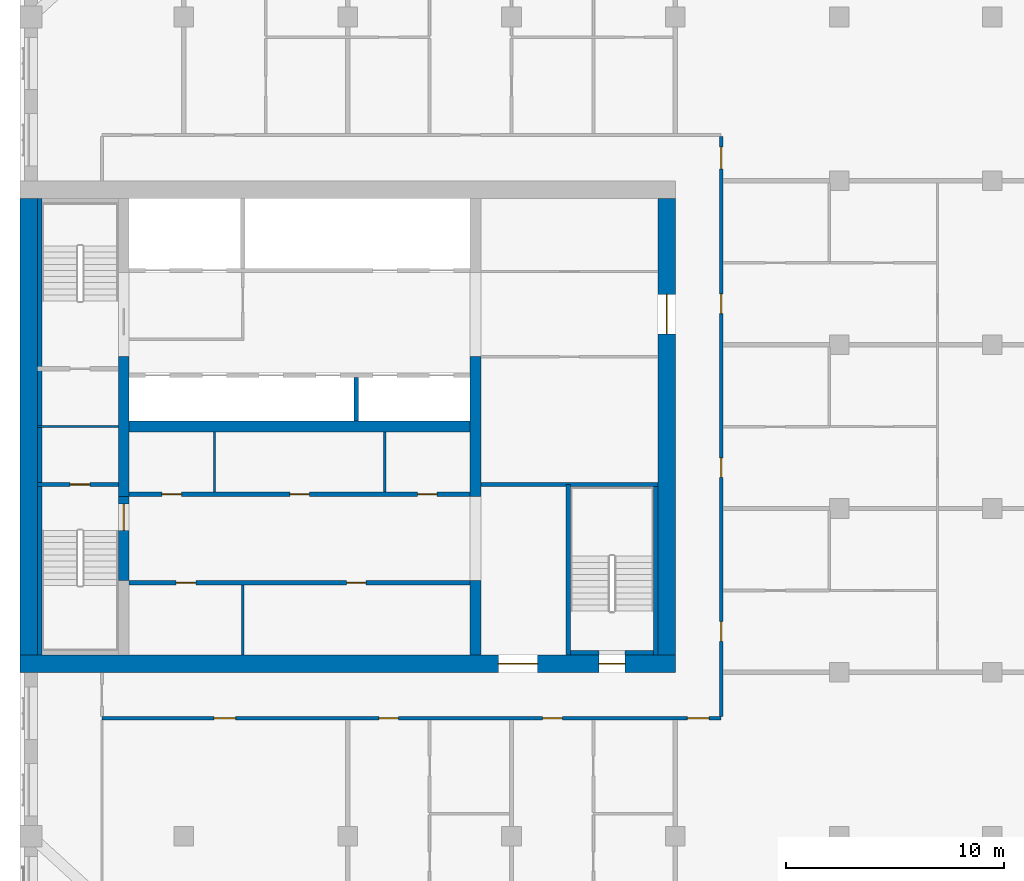
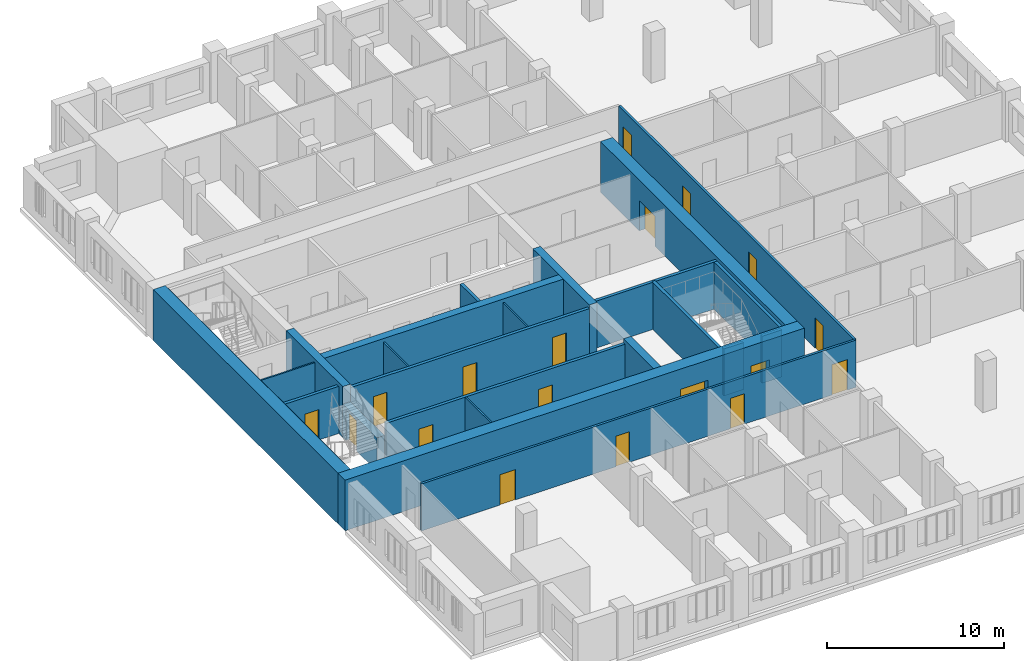
# One storey, part 7 of 14: 24 walls, 18 doors, 18 openings.
"""IFC4 building model written with IfcOpenShell, lengths in metres."""

from ifc_helpers import new_model, si_unit, direction, frame, frame_2d, origin, place, context, subcontext, project, spatial, rectangle, extrude, material, layer, layer_set, type_object, element, fill, save


model = new_model("IFC4")

# Units and contexts
model_context = context("Model", 3, precision=1e-05, world=origin(), true_north=direction((0.0, 1.0)))
body_context = subcontext(model_context, "Body", "Model", "MODEL_VIEW")
ifc_project = project(units=[si_unit("LENGTHUNIT", "METRE"), si_unit("AREAUNIT", "SQUARE_METRE"), si_unit("VOLUMEUNIT", "CUBIC_METRE"), si_unit("PLANEANGLEUNIT", "RADIAN"), si_unit("MASSUNIT", "GRAM", prefix="KILO")], contexts=[model_context])

# Site, building, storey
site_placement = place(None, origin())
site = spatial("IfcSite", under=ifc_project, at=site_placement, CompositionType="ELEMENT")
building_placement = place(site_placement, origin())
building = spatial("IfcBuilding", under=site, at=building_placement, Name="Tamorin Gate", CompositionType="ELEMENT")
storey_placement = place(building_placement, frame((0.0, 0.0, 189.699951171875)))
storey = spatial("IfcBuildingStorey", under=building, at=storey_placement, Name="L46", CompositionType="ELEMENT", Elevation=189.699951171875)

# Wall, openings, doors
ifc_material_1 = material(Name="Gypsum board partition")
ifc_layer_1 = layer(ifc_material_1, 0.14990234375)
ifc_layer_set_1 = layer_set([ifc_layer_1], Name="Corridor wall 150")
wall_type_1 = type_object("IfcWallType", Name="Corridor wall 150", PredefinedType="PARTITIONING", material=ifc_layer_set_1)
wall_1_placement = place(storey_placement, frame((33.75, 57.89990234375, 0.0), z_axis=(0.0, 0.0, 1.0), x_axis=(1.0, 0.0, 0.0)))
wall_1 = element("IfcWall", 1, at=wall_1_placement, inside=storey, type_object=wall_type_1, Name="Corridor wall 150", PredefinedType="PARTITIONING", context=body_context, shape_type="SweptSolid", body=[
    extrude(rectangle(XDim=28.35009765625, YDim=0.14990234375, at=frame_2d((14.175048828125, 0.0))), origin(), (0.0, 0.0, 1.0), 3.25),
])
opening_1_placement = place(wall_1_placement, frame((5.125, 0.0, 0.0)))
opening_1 = element("IfcOpeningElement", 2, at=opening_1_placement, cuts=wall_1, Name="Opening DR4002", PredefinedType="OPENING", context=body_context, shape_type="SweptSolid", body=[
    extrude(rectangle(XDim=1.0, YDim=2.10009765625, at=frame_2d((0.5, 1.050048828125))), frame((0.0, 0.0849609375, 0.0), z_axis=(0.0, -1.0, 0.0), x_axis=(1.0, 0.0, 0.0)), (0.0, 0.0, 1.0), 0.169921875),
])
opening_2_placement = place(wall_1_placement, frame((12.675048828125, 0.0, 0.0)))
opening_2 = element("IfcOpeningElement", 3, at=opening_2_placement, cuts=wall_1, Name="Opening DR4003", PredefinedType="OPENING", context=body_context, shape_type="SweptSolid", body=[
    extrude(rectangle(XDim=0.89990234375, YDim=2.10009765625, at=frame_2d((0.449951171875, 1.050048828125))), frame((0.0, 0.0849609375, 0.0), z_axis=(0.0, -1.0, 0.0), x_axis=(1.0, 0.0, 0.0)), (0.0, 0.0, 1.0), 0.169921875),
])
opening_3_placement = place(wall_1_placement, frame((20.175048828125, 0.0, 0.0)))
opening_3 = element("IfcOpeningElement", 4, at=opening_3_placement, cuts=wall_1, Name="Opening DR4008", PredefinedType="OPENING", context=body_context, shape_type="SweptSolid", body=[
    extrude(rectangle(XDim=0.89990234375, YDim=2.10009765625, at=frame_2d((0.449951171875, 1.050048828125))), frame((0.0, 0.0849609375, 0.0), z_axis=(0.0, -1.0, 0.0), x_axis=(1.0, 0.0, 0.0)), (0.0, 0.0, 1.0), 0.169921875),
])
opening_4_placement = place(wall_1_placement, frame((26.800048828125, 0.0, 0.0)))
opening_4 = element("IfcOpeningElement", 5, at=opening_4_placement, cuts=wall_1, Name="Opening DR4013", PredefinedType="OPENING", context=body_context, shape_type="SweptSolid", body=[
    extrude(rectangle(XDim=1.0, YDim=2.10009765625, at=frame_2d((0.5, 1.050048828125))), frame((0.0, 0.0849609375, 0.0), z_axis=(0.0, -1.0, 0.0), x_axis=(1.0, 0.0, 0.0)), (0.0, 0.0, 1.0), 0.169921875),
])
ifc_material_2 = material(Name="Timber door leaf", Category="wood")
door_type_1 = type_object("IfcDoorType", Name="Door 1000 x 2100 FD30S", OperationType="NOTDEFINED", PredefinedType="DOOR", material=ifc_material_2)
door_1_placement = place(opening_1_placement, origin())
door_1 = element("IfcDoor", 6, at=door_1_placement, inside=storey, type_object=door_type_1, Name="Door DR4002", OperationType="SINGLE_SWING_RIGHT", OverallHeight=2.10009765625, OverallWidth=1.0, PredefinedType="DOOR", context=body_context, shape_type="SweptSolid", body=[
    extrude(rectangle(XDim=1.0, YDim=2.10009765625, at=frame_2d((0.5, 1.050048828125))), frame((0.0, 0.02490234375, 0.0), z_axis=(0.0, -1.0, 0.0), x_axis=(1.0, 0.0, 0.0)), (0.0, 0.0, 1.0), 0.050048828125),
])
fill(opening_1, door_1)
door_2_placement = place(opening_4_placement, origin())
door_2 = element("IfcDoor", 7, at=door_2_placement, inside=storey, type_object=door_type_1, Name="Door DR4013", OperationType="SINGLE_SWING_RIGHT", OverallHeight=2.10009765625, OverallWidth=1.0, PredefinedType="DOOR", context=body_context, shape_type="SweptSolid", body=[
    extrude(rectangle(XDim=1.0, YDim=2.10009765625, at=frame_2d((0.5, 1.050048828125))), frame((0.0, 0.02490234375, 0.0), z_axis=(0.0, -1.0, 0.0), x_axis=(1.0, 0.0, 0.0)), (0.0, 0.0, 1.0), 0.050048828125),
])
fill(opening_4, door_2)
door_type_2 = type_object("IfcDoorType", Name="Door 900 x 2100 FD30S", OperationType="NOTDEFINED", PredefinedType="DOOR", material=ifc_material_2)
door_3_placement = place(opening_2_placement, origin())
door_3 = element("IfcDoor", 8, at=door_3_placement, inside=storey, type_object=door_type_2, Name="Door DR4003", OperationType="SINGLE_SWING_RIGHT", OverallHeight=2.10009765625, OverallWidth=0.89990234375, PredefinedType="DOOR", context=body_context, shape_type="SweptSolid", body=[
    extrude(rectangle(XDim=0.89990234375, YDim=2.10009765625, at=frame_2d((0.449951171875, 1.050048828125))), frame((0.0, 0.02490234375, 0.0), z_axis=(0.0, -1.0, 0.0), x_axis=(1.0, 0.0, 0.0)), (0.0, 0.0, 1.0), 0.050048828125),
])
fill(opening_2, door_3)
door_4_placement = place(opening_3_placement, origin())
door_4 = element("IfcDoor", 9, at=door_4_placement, inside=storey, type_object=door_type_2, Name="Door DR4008", OperationType="SINGLE_SWING_RIGHT", OverallHeight=2.10009765625, OverallWidth=0.89990234375, PredefinedType="DOOR", context=body_context, shape_type="SweptSolid", body=[
    extrude(rectangle(XDim=0.89990234375, YDim=2.10009765625, at=frame_2d((0.449951171875, 1.050048828125))), frame((0.0, 0.02490234375, 0.0), z_axis=(0.0, -1.0, 0.0), x_axis=(1.0, 0.0, 0.0)), (0.0, 0.0, 1.0), 0.050048828125),
])
fill(opening_3, door_4)

wall_2_placement = place(storey_placement, frame((62.10009765625, 57.97509765625, 0.0), z_axis=(0.0, 0.0, 1.0), x_axis=(0.0, 1.0, 0.0)))
wall_2 = element("IfcWall", 10, at=wall_2_placement, inside=storey, type_object=wall_type_1, Name="Corridor wall 150", PredefinedType="PARTITIONING", context=body_context, shape_type="SweptSolid", body=[
    extrude(rectangle(XDim=26.5498046875, YDim=0.14990234375, at=frame_2d((13.27490234375, 0.0))), origin(), (0.0, 0.0, 1.0), 3.25),
])
opening_5_placement = place(wall_2_placement, frame((25.074951171875, 0.0, 0.0)))
opening_5 = element("IfcOpeningElement", 11, at=opening_5_placement, cuts=wall_2, Name="Opening DR4030", PredefinedType="OPENING", context=body_context, shape_type="SweptSolid", body=[
    extrude(rectangle(XDim=1.0, YDim=2.10009765625, at=frame_2d((0.5, 1.050048828125))), frame((0.0, 0.0849609375, 0.0), z_axis=(0.0, -1.0, 0.0), x_axis=(1.0, 0.0, 0.0)), (0.0, 0.0, 1.0), 0.169921875),
])
opening_6_placement = place(wall_2_placement, frame((3.449951171875, 0.0, 0.0)))
opening_6 = element("IfcOpeningElement", 12, at=opening_6_placement, cuts=wall_2, Name="Opening DR4031", PredefinedType="OPENING", context=body_context, shape_type="SweptSolid", body=[
    extrude(rectangle(XDim=0.89990234375, YDim=2.10009765625, at=frame_2d((0.449951171875, 1.050048828125))), frame((0.0, 0.0849609375, 0.0), z_axis=(0.0, -1.0, 0.0), x_axis=(1.0, 0.0, 0.0)), (0.0, 0.0, 1.0), 0.169921875),
])
opening_7_placement = place(wall_2_placement, frame((10.949951171875, 0.0, 0.0)))
opening_7 = element("IfcOpeningElement", 13, at=opening_7_placement, cuts=wall_2, Name="Opening DR4035", PredefinedType="OPENING", context=body_context, shape_type="SweptSolid", body=[
    extrude(rectangle(XDim=0.89990234375, YDim=2.10009765625, at=frame_2d((0.449951171875, 1.050048828125))), frame((0.0, 0.0849609375, 0.0), z_axis=(0.0, -1.0, 0.0), x_axis=(1.0, 0.0, 0.0)), (0.0, 0.0, 1.0), 0.169921875),
])
opening_8_placement = place(wall_2_placement, frame((18.449951171875, 0.0, 0.0)))
opening_8 = element("IfcOpeningElement", 14, at=opening_8_placement, cuts=wall_2, Name="Opening DR4039", PredefinedType="OPENING", context=body_context, shape_type="SweptSolid", body=[
    extrude(rectangle(XDim=0.89990234375, YDim=2.10009765625, at=frame_2d((0.449951171875, 1.050048828125))), frame((0.0, 0.0849609375, 0.0), z_axis=(0.0, -1.0, 0.0), x_axis=(1.0, 0.0, 0.0)), (0.0, 0.0, 1.0), 0.169921875),
])
door_5_placement = place(opening_5_placement, origin())
door_5 = element("IfcDoor", 15, at=door_5_placement, inside=storey, type_object=door_type_1, Name="Door DR4030", OperationType="SINGLE_SWING_RIGHT", OverallHeight=2.10009765625, OverallWidth=1.0, PredefinedType="DOOR", context=body_context, shape_type="SweptSolid", body=[
    extrude(rectangle(XDim=1.0, YDim=2.10009765625, at=frame_2d((0.5, 1.050048828125))), frame((0.0, 0.02490234375, 0.0), z_axis=(0.0, -1.0, 0.0), x_axis=(1.0, 0.0, 0.0)), (0.0, 0.0, 1.0), 0.050048828125),
])
fill(opening_5, door_5)
door_6_placement = place(opening_6_placement, origin())
door_6 = element("IfcDoor", 16, at=door_6_placement, inside=storey, type_object=door_type_2, Name="Door DR4031", OperationType="SINGLE_SWING_RIGHT", OverallHeight=2.10009765625, OverallWidth=0.89990234375, PredefinedType="DOOR", context=body_context, shape_type="SweptSolid", body=[
    extrude(rectangle(XDim=0.89990234375, YDim=2.10009765625, at=frame_2d((0.449951171875, 1.050048828125))), frame((0.0, 0.02490234375, 0.0), z_axis=(0.0, -1.0, 0.0), x_axis=(1.0, 0.0, 0.0)), (0.0, 0.0, 1.0), 0.050048828125),
])
fill(opening_6, door_6)
door_7_placement = place(opening_7_placement, origin())
door_7 = element("IfcDoor", 17, at=door_7_placement, inside=storey, type_object=door_type_2, Name="Door DR4035", OperationType="SINGLE_SWING_RIGHT", OverallHeight=2.10009765625, OverallWidth=0.89990234375, PredefinedType="DOOR", context=body_context, shape_type="SweptSolid", body=[
    extrude(rectangle(XDim=0.89990234375, YDim=2.10009765625, at=frame_2d((0.449951171875, 1.050048828125))), frame((0.0, 0.02490234375, 0.0), z_axis=(0.0, -1.0, 0.0), x_axis=(1.0, 0.0, 0.0)), (0.0, 0.0, 1.0), 0.050048828125),
])
fill(opening_7, door_7)
door_8_placement = place(opening_8_placement, origin())
door_8 = element("IfcDoor", 18, at=door_8_placement, inside=storey, type_object=door_type_2, Name="Door DR4039", OperationType="SINGLE_SWING_RIGHT", OverallHeight=2.10009765625, OverallWidth=0.89990234375, PredefinedType="DOOR", context=body_context, shape_type="SweptSolid", body=[
    extrude(rectangle(XDim=0.89990234375, YDim=2.10009765625, at=frame_2d((0.449951171875, 1.050048828125))), frame((0.0, 0.02490234375, 0.0), z_axis=(0.0, -1.0, 0.0), x_axis=(1.0, 0.0, 0.0)), (0.0, 0.0, 1.0), 0.050048828125),
])
fill(opening_8, door_8)

# Walls
ifc_material_3 = material(Name="Concrete C32/40", Category="concrete")
ifc_layer_2 = layer(ifc_material_3, 0.199951171875)
ifc_layer_set_2 = layer_set([ifc_layer_2], Name="Lift shaft wall 200 EI 120")
wall_type_2 = type_object("IfcWallType", Name="Lift shaft wall 200 EI 120", PredefinedType="SOLIDWALL", material=ifc_layer_set_2)
wall_3_placement = place(storey_placement, frame((45.39990234375, 71.5, 0.0), z_axis=(0.0, 0.0, 1.0), x_axis=(0.0, 1.0, 0.0)))
element("IfcWall", 19, at=wall_3_placement, inside=storey, type_object=wall_type_2, Name="Lift shaft wall", PredefinedType="SOLIDWALL", context=body_context, shape_type="SweptSolid", body=[
    extrude(rectangle(XDim=2.0, YDim=0.199951171875, at=frame_2d((1.0, 0.0))), origin(), (0.0, 0.0, 1.0), 3.5),
])
ifc_material_4 = material(Name="Concrete C60/75", Category="concrete")
ifc_layer_3 = layer(ifc_material_4, 0.5)
ifc_layer_set_3 = layer_set([ifc_layer_3], Name="RC core internal wall 500 C60/75")
wall_type_3 = type_object("IfcWallType", Name="RC core internal wall 500 C60/75", PredefinedType="SHEAR", material=ifc_layer_set_3)
wall_4_placement = place(storey_placement, frame((35.0, 71.25, 0.0), z_axis=(0.0, 0.0, 1.0), x_axis=(1.0, 0.0, 0.0)))
element("IfcWall", 20, at=wall_4_placement, inside=storey, type_object=wall_type_3, Name="Core spine wall L46", PredefinedType="SHEAR", context=body_context, shape_type="SweptSolid", body=[
    extrude(rectangle(XDim=15.60009765625, YDim=0.5, at=frame_2d((7.800048828125, 0.0))), origin(), (0.0, 0.0, 1.0), 3.5),
])
wall_5_placement = place(storey_placement, frame((34.75, 68.050048828125, 0.0), z_axis=(0.0, 0.0, 1.0), x_axis=(0.0, 1.0, 0.0)))
element("IfcWall", 21, at=wall_5_placement, inside=storey, type_object=wall_type_3, Name="Core cross wall L46", PredefinedType="SHEAR", context=body_context, shape_type="SweptSolid", body=[
    extrude(rectangle(XDim=6.39990234375, YDim=0.5, at=frame_2d((3.199951171875, 0.0))), origin(), (0.0, 0.0, 1.0), 3.5),
])
wall_6_placement = place(storey_placement, frame((50.85009765625, 60.800048828125, 0.0), z_axis=(0.0, 0.0, 1.0), x_axis=(0.0, 1.0, 0.0)))
element("IfcWall", 22, at=wall_6_placement, inside=storey, type_object=wall_type_3, Name="Core cross wall L46", PredefinedType="SHEAR", context=body_context, shape_type="SweptSolid", body=[
    extrude(rectangle(XDim=3.39990234375, YDim=0.5, at=frame_2d((1.699951171875, 0.0))), origin(), (0.0, 0.0, 1.0), 3.5),
])
wall_7_placement = place(storey_placement, frame((50.85009765625, 68.050048828125, 0.0), z_axis=(0.0, 0.0, 1.0), x_axis=(0.0, 1.0, 0.0)))
element("IfcWall", 23, at=wall_7_placement, inside=storey, type_object=wall_type_3, Name="Core cross wall L46", PredefinedType="SHEAR", context=body_context, shape_type="SweptSolid", body=[
    extrude(rectangle(XDim=6.39990234375, YDim=0.5, at=frame_2d((3.199951171875, 0.0))), origin(), (0.0, 0.0, 1.0), 3.5),
])

# Wall, openings, doors
ifc_layer_4 = layer(ifc_material_4, 0.800048828125)
ifc_layer_set_4 = layer_set([ifc_layer_4], Name="RC core wall 800 C60/75")
wall_type_4 = type_object("IfcWallType", Name="RC core wall 800 C60/75", PredefinedType="SHEAR", material=ifc_layer_set_4)
wall_8_placement = place(storey_placement, frame((30.0, 60.39990234375, 0.0), z_axis=(0.0, 0.0, 1.0), x_axis=(1.0, 0.0, 0.0)))
wall_8 = element("IfcWall", 24, at=wall_8_placement, inside=storey, type_object=wall_type_4, Name="Core wall L46", PredefinedType="SHEAR", context=body_context, shape_type="SweptSolid", body=[
    extrude(rectangle(XDim=30.0, YDim=0.800048828125, at=frame_2d((15.0, 0.0))), origin(), (0.0, 0.0, 1.0), 3.5),
])
opening_9_placement = place(wall_8_placement, frame((21.89990234375, 0.0, 0.0)))
opening_9 = element("IfcOpeningElement", 25, at=opening_9_placement, cuts=wall_8, Name="Opening DE1", PredefinedType="OPENING", context=body_context, shape_type="SweptSolid", body=[
    extrude(rectangle(XDim=1.800048828125, YDim=2.10009765625, at=frame_2d((0.89990234375, 1.050048828125))), frame((0.0, 0.409912109375, 0.0), z_axis=(0.0, -1.0, 0.0), x_axis=(1.0, 0.0, 0.0)), (0.0, 0.0, 1.0), 0.820068359375),
])
opening_10_placement = place(wall_8_placement, frame((26.5, 0.0, 0.0)))
opening_10 = element("IfcOpeningElement", 26, at=opening_10_placement, cuts=wall_8, Name="Opening DS1", PredefinedType="OPENING", context=body_context, shape_type="SweptSolid", body=[
    extrude(rectangle(XDim=1.199951171875, YDim=2.10009765625, at=frame_2d((0.60009765625, 1.050048828125))), frame((0.0, 0.409912109375, 0.0), z_axis=(0.0, -1.0, 0.0), x_axis=(1.0, 0.0, 0.0)), (0.0, 0.0, 1.0), 0.820068359375),
])
ifc_material_5 = material(Name="Steel fire door", Category="steel")
door_type_3 = type_object("IfcDoorType", Name="Lobby exit double door 1800 x 2100 EI 60", OperationType="DOUBLE_DOOR_SINGLE_SWING", PredefinedType="DOOR", material=ifc_material_5)
door_9_placement = place(opening_9_placement, origin())
door_9 = element("IfcDoor", 27, at=door_9_placement, inside=storey, type_object=door_type_3, Name="Lift lobby A exit door", OperationType="DOUBLE_DOOR_SINGLE_SWING", OverallHeight=2.10009765625, OverallWidth=1.800048828125, PredefinedType="DOOR", context=body_context, shape_type="SweptSolid", body=[
    extrude(rectangle(XDim=1.800048828125, YDim=2.10009765625, at=frame_2d((0.89990234375, 1.050048828125))), frame((0.0, 0.02490234375, 0.0), z_axis=(0.0, -1.0, 0.0), x_axis=(1.0, 0.0, 0.0)), (0.0, 0.0, 1.0), 0.050048828125),
])
fill(opening_9, door_9)
door_type_4 = type_object("IfcDoorType", Name="Stair door 1200 x 2100 EI 90", OperationType="SINGLE_SWING_LEFT", PredefinedType="DOOR", material=ifc_material_5)
door_10_placement = place(opening_10_placement, origin())
door_10 = element("IfcDoor", 28, at=door_10_placement, inside=storey, type_object=door_type_4, Name="ST3 door", OperationType="SINGLE_SWING_LEFT", OverallHeight=2.10009765625, OverallWidth=1.199951171875, PredefinedType="DOOR", context=body_context, shape_type="SweptSolid", body=[
    extrude(rectangle(XDim=1.199951171875, YDim=2.10009765625, at=frame_2d((0.60009765625, 1.050048828125))), frame((0.0, 0.02490234375, 0.0), z_axis=(0.0, -1.0, 0.0), x_axis=(1.0, 0.0, 0.0)), (0.0, 0.0, 1.0), 0.050048828125),
])
fill(opening_10, door_10)

# Wall
wall_9_placement = place(storey_placement, frame((30.39990234375, 60.800048828125, 0.0), z_axis=(0.0, 0.0, 1.0), x_axis=(0.0, 1.0, 0.0)))
element("IfcWall", 29, at=wall_9_placement, inside=storey, type_object=wall_type_4, Name="Core wall L46", PredefinedType="SHEAR", context=body_context, shape_type="SweptSolid", body=[
    extrude(rectangle(XDim=20.89990234375, YDim=0.800048828125, at=frame_2d((10.449951171875, 0.0))), origin(), (0.0, 0.0, 1.0), 3.5),
])

# Wall, opening, door
wall_10_placement = place(storey_placement, frame((59.60009765625, 60.800048828125, 0.0), z_axis=(0.0, 0.0, 1.0), x_axis=(0.0, 1.0, 0.0)))
wall_10 = element("IfcWall", 30, at=wall_10_placement, inside=storey, type_object=wall_type_4, Name="Core wall L46", PredefinedType="SHEAR", context=body_context, shape_type="SweptSolid", body=[
    extrude(rectangle(XDim=20.89990234375, YDim=0.800048828125, at=frame_2d((10.449951171875, 0.0))), origin(), (0.0, 0.0, 1.0), 3.5),
])
opening_11_placement = place(wall_10_placement, frame((14.699951171875, 0.0, 0.0)))
opening_11 = element("IfcOpeningElement", 31, at=opening_11_placement, cuts=wall_10, Name="Opening DE1", PredefinedType="OPENING", context=body_context, shape_type="SweptSolid", body=[
    extrude(rectangle(XDim=1.800048828125, YDim=2.10009765625, at=frame_2d((0.89990234375, 1.050048828125))), frame((0.0, 0.409912109375, 0.0), z_axis=(0.0, -1.0, 0.0), x_axis=(1.0, 0.0, 0.0)), (0.0, 0.0, 1.0), 0.820068359375),
])
door_11_placement = place(opening_11_placement, origin())
door_11 = element("IfcDoor", 32, at=door_11_placement, inside=storey, type_object=door_type_3, Name="Lift lobby B exit door", OperationType="DOUBLE_DOOR_SINGLE_SWING", OverallHeight=2.10009765625, OverallWidth=1.800048828125, PredefinedType="DOOR", context=body_context, shape_type="SweptSolid", body=[
    extrude(rectangle(XDim=1.800048828125, YDim=2.10009765625, at=frame_2d((0.89990234375, 1.050048828125))), frame((0.0, 0.02490234375, 0.0), z_axis=(0.0, -1.0, 0.0), x_axis=(1.0, 0.0, 0.0)), (0.0, 0.0, 1.0), 0.050048828125),
])
fill(opening_11, door_11)

# Wall
ifc_material_6 = material(Name="Fire-rated gypsum board partition")
ifc_layer_5 = layer(ifc_material_6, 0.10009765625)
ifc_layer_set_5 = layer_set([ifc_layer_5], Name="Riser partition 100 EI 120")
wall_type_5 = type_object("IfcWallType", Name="Riser partition 100 EI 120", PredefinedType="PARTITIONING", material=ifc_layer_set_5)
wall_11_placement = place(storey_placement, frame((30.800048828125, 71.25, 0.0), z_axis=(0.0, 0.0, 1.0), x_axis=(1.0, 0.0, 0.0)))
element("IfcWall", 33, at=wall_11_placement, inside=storey, type_object=wall_type_5, Name="Riser partition", PredefinedType="PARTITIONING", context=body_context, shape_type="SweptSolid", body=[
    extrude(rectangle(XDim=3.699951171875, YDim=0.10009765625, at=frame_2d((1.85009765625, 0.0))), origin(), (0.0, 0.0, 1.0), 3.25),
])

# Wall, openings, doors
ifc_layer_6 = layer(ifc_material_1, 0.199951171875)
ifc_layer_set_6 = layer_set([ifc_layer_6], Name="Service room face wall 200 EI 60")
wall_type_6 = type_object("IfcWallType", Name="Service room face wall 200 EI 60", PredefinedType="PARTITIONING", material=ifc_layer_set_6)
wall_12_placement = place(storey_placement, frame((35.0, 64.10009765625, 0.0), z_axis=(0.0, 0.0, 1.0), x_axis=(1.0, 0.0, 0.0)))
wall_12 = element("IfcWall", 34, at=wall_12_placement, inside=storey, type_object=wall_type_6, Name="Service room face wall", PredefinedType="PARTITIONING", context=body_context, shape_type="SweptSolid", body=[
    extrude(rectangle(XDim=15.60009765625, YDim=0.199951171875, at=frame_2d((7.800048828125, 0.0))), origin(), (0.0, 0.0, 1.0), 3.25),
])
opening_12_placement = place(wall_12_placement, frame((2.14990234375, 0.0, 0.0)))
opening_12 = element("IfcOpeningElement", 35, at=opening_12_placement, cuts=wall_12, Name="Opening DK1", PredefinedType="OPENING", context=body_context, shape_type="SweptSolid", body=[
    extrude(rectangle(XDim=0.89990234375, YDim=2.10009765625, at=frame_2d((0.449951171875, 1.050048828125))), frame((0.0, 0.10986328125, 0.0), z_axis=(0.0, -1.0, 0.0), x_axis=(1.0, 0.0, 0.0)), (0.0, 0.0, 1.0), 0.219970703125),
])
opening_13_placement = place(wall_12_placement, frame((9.949951171875, 0.0, 0.0)))
opening_13 = element("IfcOpeningElement", 36, at=opening_13_placement, cuts=wall_12, Name="Opening DK1", PredefinedType="OPENING", context=body_context, shape_type="SweptSolid", body=[
    extrude(rectangle(XDim=0.89990234375, YDim=2.10009765625, at=frame_2d((0.449951171875, 1.050048828125))), frame((0.0, 0.10986328125, 0.0), z_axis=(0.0, -1.0, 0.0), x_axis=(1.0, 0.0, 0.0)), (0.0, 0.0, 1.0), 0.219970703125),
])
ifc_material_7 = material(Name="Timber fire door", Category="wood")
door_type_5 = type_object("IfcDoorType", Name="Service room door 900 x 2100 EI 60", OperationType="SINGLE_SWING_LEFT", PredefinedType="DOOR", material=ifc_material_7)
door_12_placement = place(opening_12_placement, origin())
door_12 = element("IfcDoor", 37, at=door_12_placement, inside=storey, type_object=door_type_5, Name="Door Parcel and storage room", OperationType="SINGLE_SWING_RIGHT", OverallHeight=2.10009765625, OverallWidth=0.89990234375, PredefinedType="DOOR", context=body_context, shape_type="SweptSolid", body=[
    extrude(rectangle(XDim=0.89990234375, YDim=2.10009765625, at=frame_2d((0.449951171875, 1.050048828125))), frame((0.0, 0.02490234375, 0.0), z_axis=(0.0, -1.0, 0.0), x_axis=(1.0, 0.0, 0.0)), (0.0, 0.0, 1.0), 0.050048828125),
])
fill(opening_12, door_12)
door_13_placement = place(opening_13_placement, origin())
door_13 = element("IfcDoor", 38, at=door_13_placement, inside=storey, type_object=door_type_5, Name="Door Refuse and recycling room", OperationType="SINGLE_SWING_LEFT", OverallHeight=2.10009765625, OverallWidth=0.89990234375, PredefinedType="DOOR", context=body_context, shape_type="SweptSolid", body=[
    extrude(rectangle(XDim=0.89990234375, YDim=2.10009765625, at=frame_2d((0.449951171875, 1.050048828125))), frame((0.0, 0.02490234375, 0.0), z_axis=(0.0, -1.0, 0.0), x_axis=(1.0, 0.0, 0.0)), (0.0, 0.0, 1.0), 0.050048828125),
])
fill(opening_13, door_13)

wall_13_placement = place(storey_placement, frame((35.0, 68.14990234375, 0.0), z_axis=(0.0, 0.0, 1.0), x_axis=(1.0, 0.0, 0.0)))
wall_13 = element("IfcWall", 39, at=wall_13_placement, inside=storey, type_object=wall_type_6, Name="Service room face wall", PredefinedType="PARTITIONING", context=body_context, shape_type="SweptSolid", body=[
    extrude(rectangle(XDim=15.60009765625, YDim=0.199951171875, at=frame_2d((7.800048828125, 0.0))), origin(), (0.0, 0.0, 1.0), 3.25),
])
opening_14_placement = place(wall_13_placement, frame((1.5, 0.0, 0.0)))
opening_14 = element("IfcOpeningElement", 40, at=opening_14_placement, cuts=wall_13, Name="Opening DK1", PredefinedType="OPENING", context=body_context, shape_type="SweptSolid", body=[
    extrude(rectangle(XDim=0.89990234375, YDim=2.10009765625, at=frame_2d((0.449951171875, 1.050048828125))), frame((0.0, 0.10986328125, 0.0), z_axis=(0.0, -1.0, 0.0), x_axis=(1.0, 0.0, 0.0)), (0.0, 0.0, 1.0), 0.219970703125),
])
opening_15_placement = place(wall_13_placement, frame((7.35009765625, 0.0, 0.0)))
opening_15 = element("IfcOpeningElement", 41, at=opening_15_placement, cuts=wall_13, Name="Opening DK1", PredefinedType="OPENING", context=body_context, shape_type="SweptSolid", body=[
    extrude(rectangle(XDim=0.89990234375, YDim=2.10009765625, at=frame_2d((0.449951171875, 1.050048828125))), frame((0.0, 0.10986328125, 0.0), z_axis=(0.0, -1.0, 0.0), x_axis=(1.0, 0.0, 0.0)), (0.0, 0.0, 1.0), 0.219970703125),
])
opening_16_placement = place(wall_13_placement, frame((13.199951171875, 0.0, 0.0)))
opening_16 = element("IfcOpeningElement", 42, at=opening_16_placement, cuts=wall_13, Name="Opening DK1", PredefinedType="OPENING", context=body_context, shape_type="SweptSolid", body=[
    extrude(rectangle(XDim=0.89990234375, YDim=2.10009765625, at=frame_2d((0.449951171875, 1.050048828125))), frame((0.0, 0.10986328125, 0.0), z_axis=(0.0, -1.0, 0.0), x_axis=(1.0, 0.0, 0.0)), (0.0, 0.0, 1.0), 0.219970703125),
])
door_14_placement = place(opening_14_placement, origin())
door_14 = element("IfcDoor", 43, at=door_14_placement, inside=storey, type_object=door_type_5, Name="Door Housekeeping store", OperationType="SINGLE_SWING_RIGHT", OverallHeight=2.10009765625, OverallWidth=0.89990234375, PredefinedType="DOOR", context=body_context, shape_type="SweptSolid", body=[
    extrude(rectangle(XDim=0.89990234375, YDim=2.10009765625, at=frame_2d((0.449951171875, 1.050048828125))), frame((0.0, 0.02490234375, 0.0), z_axis=(0.0, -1.0, 0.0), x_axis=(1.0, 0.0, 0.0)), (0.0, 0.0, 1.0), 0.050048828125),
])
fill(opening_14, door_14)
door_15_placement = place(opening_15_placement, origin())
door_15 = element("IfcDoor", 44, at=door_15_placement, inside=storey, type_object=door_type_5, Name="Door Electrical and IT room", OperationType="SINGLE_SWING_LEFT", OverallHeight=2.10009765625, OverallWidth=0.89990234375, PredefinedType="DOOR", context=body_context, shape_type="SweptSolid", body=[
    extrude(rectangle(XDim=0.89990234375, YDim=2.10009765625, at=frame_2d((0.449951171875, 1.050048828125))), frame((0.0, 0.02490234375, 0.0), z_axis=(0.0, -1.0, 0.0), x_axis=(1.0, 0.0, 0.0)), (0.0, 0.0, 1.0), 0.050048828125),
])
fill(opening_15, door_15)
door_16_placement = place(opening_16_placement, origin())
door_16 = element("IfcDoor", 45, at=door_16_placement, inside=storey, type_object=door_type_5, Name="Door Cleaner's store", OperationType="SINGLE_SWING_RIGHT", OverallHeight=2.10009765625, OverallWidth=0.89990234375, PredefinedType="DOOR", context=body_context, shape_type="SweptSolid", body=[
    extrude(rectangle(XDim=0.89990234375, YDim=2.10009765625, at=frame_2d((0.449951171875, 1.050048828125))), frame((0.0, 0.02490234375, 0.0), z_axis=(0.0, -1.0, 0.0), x_axis=(1.0, 0.0, 0.0)), (0.0, 0.0, 1.0), 0.050048828125),
])
fill(opening_16, door_16)

# Walls
ifc_layer_7 = layer(ifc_material_1, 0.10009765625)
ifc_layer_set_7 = layer_set([ifc_layer_7], Name="Service room partition 100 EI 60")
wall_type_7 = type_object("IfcWallType", Name="Service room partition 100 EI 60", PredefinedType="PARTITIONING", material=ifc_layer_set_7)
wall_14_placement = place(storey_placement, frame((40.199951171875, 60.800048828125, 0.0), z_axis=(0.0, 0.0, 1.0), x_axis=(0.0, 1.0, 0.0)))
element("IfcWall", 46, at=wall_14_placement, inside=storey, type_object=wall_type_7, Name="Service room partition", PredefinedType="PARTITIONING", context=body_context, shape_type="SweptSolid", body=[
    extrude(rectangle(XDim=3.199951171875, YDim=0.10009765625, at=frame_2d((1.60009765625, 0.0))), origin(), (0.0, 0.0, 1.0), 3.25),
])
for number, where, z_axis, x_axis, name in (
    (47, (38.89990234375, 68.25, 0.0), (0.0, 0.0, 1.0), (0.0, 1.0, 0.0), "Service room partition"),
    (48, (46.699951171875, 68.25, 0.0), (0.0, 0.0, 1.0), (0.0, 1.0, 0.0), "Service room partition"),
):
    element("IfcWall", number, at=place(storey_placement, frame(where, z_axis=z_axis, x_axis=x_axis)), inside=storey, type_object=wall_type_7, Name=name, PredefinedType="PARTITIONING", context=body_context, shape_type="SweptSolid", body=[
        extrude(rectangle(XDim=2.75, YDim=0.10009765625, at=frame_2d((1.375, 0.0))), origin(), (0.0, 0.0, 1.0), 3.25),
    ])

# Wall, opening, door
ifc_material_8 = material(Name="Concrete C40/50", Category="concrete")
ifc_layer_8 = layer(ifc_material_8, 0.199951171875)
ifc_layer_set_8 = layer_set([ifc_layer_8], Name="Stair enclosure wall 200 EI 120 C40/50")
wall_type_8 = type_object("IfcWallType", Name="Stair enclosure wall 200 EI 120 C40/50", PredefinedType="SOLIDWALL", material=ifc_layer_set_8)
wall_15_placement = place(storey_placement, frame((30.800048828125, 68.60009765625, 0.0), z_axis=(0.0, 0.0, 1.0), x_axis=(1.0, 0.0, 0.0)))
wall_15 = element("IfcWall", 49, at=wall_15_placement, inside=storey, type_object=wall_type_8, Name="Stair enclosure wall", PredefinedType="SOLIDWALL", context=body_context, shape_type="SweptSolid", body=[
    extrude(rectangle(XDim=3.699951171875, YDim=0.199951171875, at=frame_2d((1.85009765625, 0.0))), origin(), (0.0, 0.0, 1.0), 3.25),
])
opening_17_placement = place(wall_15_placement, frame((1.5, 0.0, 0.0)))
opening_17 = element("IfcOpeningElement", 50, at=opening_17_placement, cuts=wall_15, Name="Opening DR1", PredefinedType="OPENING", context=body_context, shape_type="SweptSolid", body=[
    extrude(rectangle(XDim=0.89990234375, YDim=2.10009765625, at=frame_2d((0.449951171875, 1.050048828125))), frame((0.0, 0.10986328125, 0.0), z_axis=(0.0, -1.0, 0.0), x_axis=(1.0, 0.0, 0.0)), (0.0, 0.0, 1.0), 0.219970703125),
])
door_type_6 = type_object("IfcDoorType", Name="Riser access door 900 x 2100 EI 120", OperationType="SINGLE_SWING_LEFT", PredefinedType="DOOR", material=ifc_material_5)
door_17_placement = place(opening_17_placement, origin())
door_17 = element("IfcDoor", 51, at=door_17_placement, inside=storey, type_object=door_type_6, Name="Electrical riser door", OperationType="SINGLE_SWING_LEFT", OverallHeight=2.10009765625, OverallWidth=0.89990234375, PredefinedType="DOOR", context=body_context, shape_type="SweptSolid", body=[
    extrude(rectangle(XDim=0.89990234375, YDim=2.10009765625, at=frame_2d((0.449951171875, 1.050048828125))), frame((0.0, 0.02490234375, 0.0), z_axis=(0.0, -1.0, 0.0), x_axis=(1.0, 0.0, 0.0)), (0.0, 0.0, 1.0), 0.050048828125),
])
fill(opening_17, door_17)

# Walls
wall_16_placement = place(storey_placement, frame((55.10009765625, 60.800048828125, 0.0), z_axis=(0.0, 0.0, 1.0), x_axis=(0.0, 1.0, 0.0)))
element("IfcWall", 52, at=wall_16_placement, inside=storey, type_object=wall_type_8, Name="Stair enclosure wall", PredefinedType="SOLIDWALL", context=body_context, shape_type="SweptSolid", body=[
    extrude(rectangle(XDim=7.800048828125, YDim=0.199951171875, at=frame_2d((3.89990234375, 0.0))), origin(), (0.0, 0.0, 1.0), 3.25),
])
wall_17_placement = place(storey_placement, frame((51.10009765625, 68.60009765625, 0.0), z_axis=(0.0, 0.0, 1.0), x_axis=(1.0, 0.0, 0.0)))
element("IfcWall", 53, at=wall_17_placement, inside=storey, type_object=wall_type_8, Name="Stair enclosure wall", PredefinedType="SOLIDWALL", context=body_context, shape_type="SweptSolid", body=[
    extrude(rectangle(XDim=8.099853515625, YDim=0.199951171875, at=frame_2d((4.0498046875, 0.0))), origin(), (0.0, 0.0, 1.0), 3.25),
])
ifc_layer_9 = layer(ifc_material_4, 0.199951171875)
ifc_layer_set_9 = layer_set([ifc_layer_9], Name="Stair lining wall 200 EI 120 C60/75")
wall_type_9 = type_object("IfcWallType", Name="Stair lining wall 200 EI 120 C60/75", PredefinedType="SOLIDWALL", material=ifc_layer_set_9)
wall_18_placement = place(storey_placement, frame((30.89990234375, 60.800048828125, 0.0), z_axis=(0.0, 0.0, 1.0), x_axis=(0.0, 1.0, 0.0)))
element("IfcWall", 54, at=wall_18_placement, inside=storey, type_object=wall_type_9, Name="Stair lining wall", PredefinedType="SOLIDWALL", context=body_context, shape_type="SweptSolid", body=[
    extrude(rectangle(XDim=20.89990234375, YDim=0.199951171875, at=frame_2d((10.449951171875, 0.0))), origin(), (0.0, 0.0, 1.0), 3.25),
])
for number, where, z_axis, x_axis, name in (
    (55, (55.199951171875, 60.89990234375, 0.0), (0.0, 0.0, 1.0), (1.0, 0.0, 0.0), "Stair lining wall"),
    (56, (57.699951171875, 60.89990234375, 0.0), (0.0, 0.0, 1.0), (1.0, 0.0, 0.0), "Stair lining wall"),
):
    element("IfcWall", number, at=place(storey_placement, frame(where, z_axis=z_axis, x_axis=x_axis)), inside=storey, type_object=wall_type_9, Name=name, PredefinedType="SOLIDWALL", context=body_context, shape_type="SweptSolid", body=[
        extrude(rectangle(XDim=1.300048828125, YDim=0.199951171875, at=frame_2d((0.64990234375, 0.0))), origin(), (0.0, 0.0, 1.0), 3.25),
    ])
wall_19_placement = place(storey_placement, frame((59.10009765625, 60.800048828125, 0.0), z_axis=(0.0, 0.0, 1.0), x_axis=(0.0, 1.0, 0.0)))
element("IfcWall", 57, at=wall_19_placement, inside=storey, type_object=wall_type_9, Name="Stair lining wall", PredefinedType="SOLIDWALL", context=body_context, shape_type="SweptSolid", body=[
    extrude(rectangle(XDim=7.699951171875, YDim=0.199951171875, at=frame_2d((3.85009765625, 0.0))), origin(), (0.0, 0.0, 1.0), 3.25),
])

# Wall, opening, door
ifc_layer_10 = layer(ifc_material_3, 0.5)
ifc_layer_set_10 = layer_set([ifc_layer_10], Name="Stair lobby infill wall 500 EI 120")
wall_type_10 = type_object("IfcWallType", Name="Stair lobby infill wall 500 EI 120", PredefinedType="SOLIDWALL", material=ifc_layer_set_10)
wall_20_placement = place(storey_placement, frame((34.75, 64.199951171875, 0.0), z_axis=(0.0, 0.0, 1.0), x_axis=(0.0, 1.0, 0.0)))
wall_20 = element("IfcWall", 58, at=wall_20_placement, inside=storey, type_object=wall_type_10, Name="Stair lobby infill wall", PredefinedType="SOLIDWALL", context=body_context, shape_type="SweptSolid", body=[
    extrude(rectangle(XDim=3.85009765625, YDim=0.5, at=frame_2d((1.925048828125, 0.0))), origin(), (0.0, 0.0, 1.0), 2.300048828125),
])
opening_18_placement = place(wall_20_placement, frame((2.300048828125, 0.0, 0.0)))
opening_18 = element("IfcOpeningElement", 59, at=opening_18_placement, cuts=wall_20, Name="Opening DS1", PredefinedType="OPENING", context=body_context, shape_type="SweptSolid", body=[
    extrude(rectangle(XDim=1.199951171875, YDim=2.10009765625, at=frame_2d((0.60009765625, 1.050048828125))), frame((0.0, 0.260009765625, 0.0), z_axis=(0.0, -1.0, 0.0), x_axis=(1.0, 0.0, 0.0)), (0.0, 0.0, 1.0), 0.52001953125),
])
door_18_placement = place(opening_18_placement, origin())
door_18 = element("IfcDoor", 60, at=door_18_placement, inside=storey, type_object=door_type_4, Name="ST1 door", OperationType="SINGLE_SWING_LEFT", OverallHeight=2.10009765625, OverallWidth=1.199951171875, PredefinedType="DOOR", context=body_context, shape_type="SweptSolid", body=[
    extrude(rectangle(XDim=1.199951171875, YDim=2.10009765625, at=frame_2d((0.60009765625, 1.050048828125))), frame((0.0, 0.02490234375, 0.0), z_axis=(0.0, -1.0, 0.0), x_axis=(1.0, 0.0, 0.0)), (0.0, 0.0, 1.0), 0.050048828125),
])
fill(opening_18, door_18)

save(model, "model.ifc")
